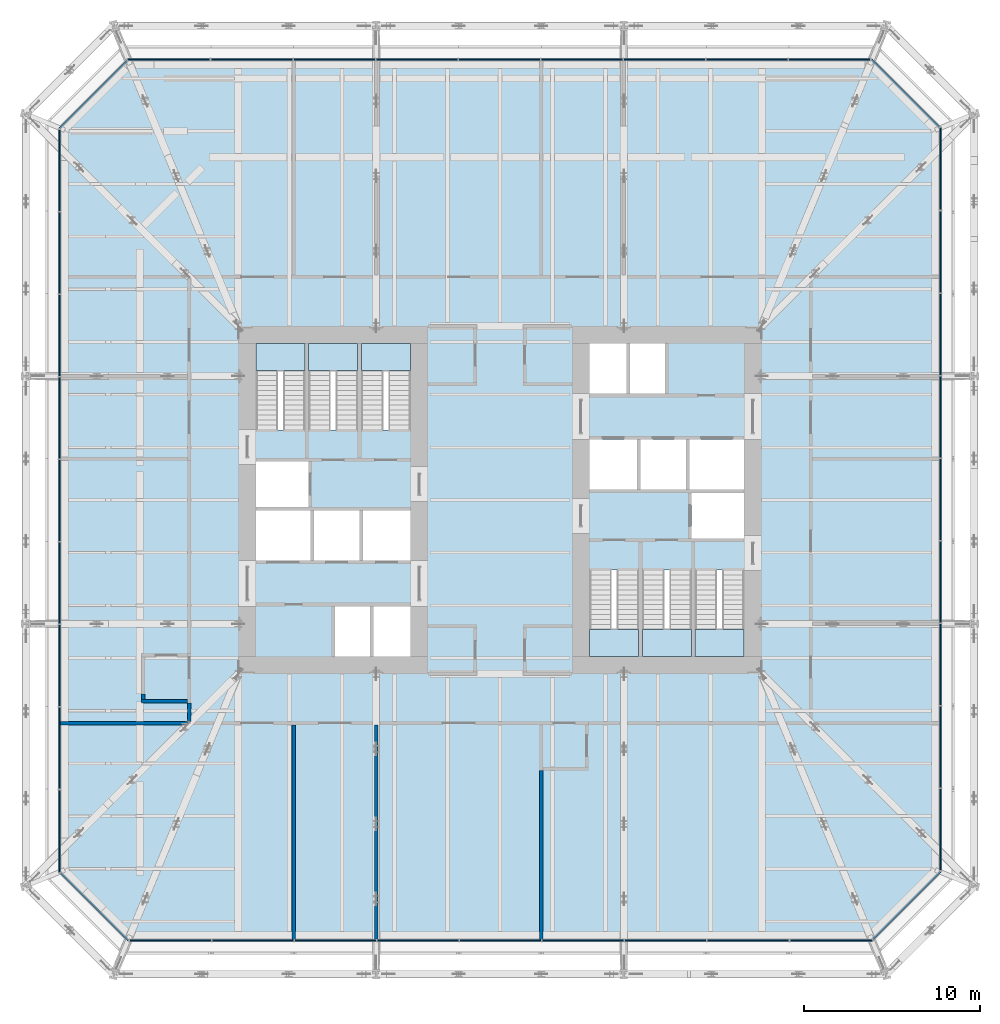
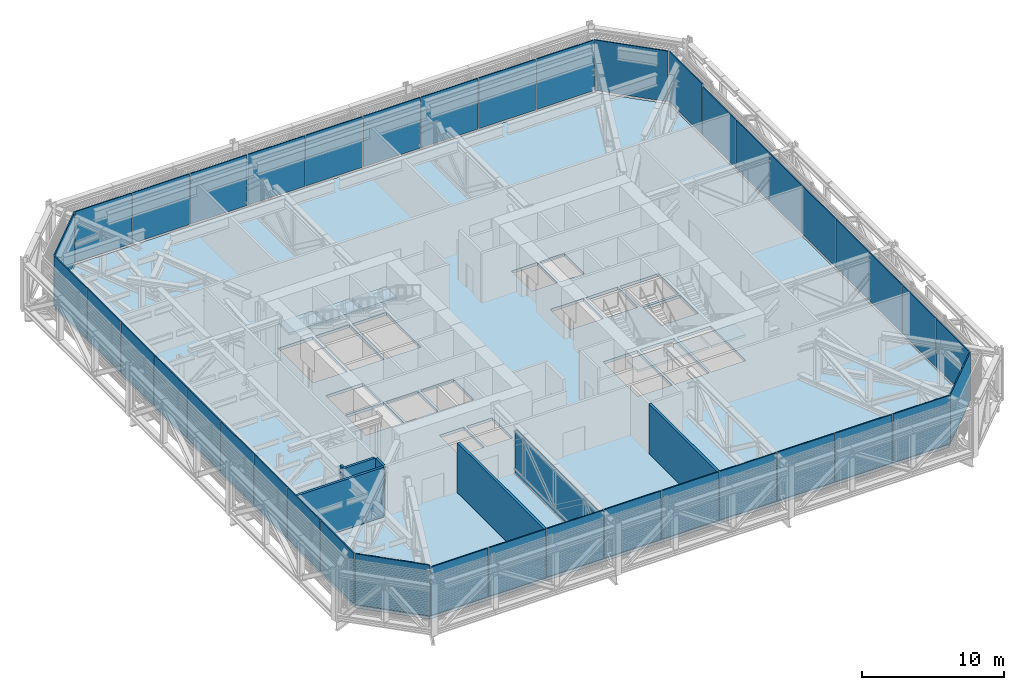
# One storey, part 21 of 33: 40 plates, 7 slabs, 7 walls, 14 elements without a shape of their own.
"""IFC4 building model written with IfcOpenShell, lengths in metres."""

import ifcopenshell
import ifcopenshell.guid

model = None  # the IFC model being written
_history = None  # IfcOwnerHistory: only IFC2X3 demands one
_inside = {}  # id of a spatial element -> (the spatial element, [elements in it])
_under = {}  # id of a project, library or spatial element -> (it, [spatial elements below it])
_declared = {}  # id of a project -> (the project, [libraries it declares])
_typed = {}  # id of a type object -> (the type object, [elements of that type])
_made_of = {}  # id of a material, layer set ... -> (it, [elements and type objects made of it])


def new_model(schema):
    """Start an empty IFC model of exactly this schema.

    Asked for "IFC4X3", IfcOpenShell would pick the latest addendum, in which some entities
    have other attributes; the version numbers below select the first issue.
    IFC2X3 requires an IfcOwnerHistory on every rooted entity: one is made here for all.
    """
    global model, _history
    if schema == "IFC4X3":
        model = ifcopenshell.file(schema_version=(4, 3, 0, 0))
    else:
        model = ifcopenshell.file(schema=schema)
    _inside.clear()
    _under.clear()
    _declared.clear()
    _typed.clear()
    _made_of.clear()
    _history = None
    if model.schema == "IFC2X3":
        org = make("IfcOrganization", Name="unknown")
        user = make(
            "IfcPersonAndOrganization",
            ThePerson=make("IfcPerson", FamilyName="unknown"),
            TheOrganization=org,
        )
        app = make(
            "IfcApplication",
            ApplicationDeveloper=org,
            Version="unknown",
            ApplicationFullName="unknown",
            ApplicationIdentifier="unknown",
        )
        _history = make(
            "IfcOwnerHistory",
            OwningUser=user,
            OwningApplication=app,
            ChangeAction="ADDED",
            CreationDate=0,
        )
    return model


def make(cls, **values):
    """One entity of the class cls with the attributes given. An attribute that is None is left unset."""
    return model.create_entity(
        cls, **{name: value for name, value in values.items() if value is not None}
    )


def rooted(cls, **values):
    """An entity with a GlobalId (a new one), such as an element, a storey or a relation."""
    return make(cls, GlobalId=ifcopenshell.guid.new(), OwnerHistory=_history, **values)


def si_unit(unit_type, name, prefix=None):
    """IfcSIUnit, for example si_unit("LENGTHUNIT", "METRE", prefix="MILLI")."""
    return make("IfcSIUnit", UnitType=unit_type, Prefix=prefix, Name=name)


def assignment(units):
    """IfcUnitAssignment: the units of a project."""
    return None if units is None else make("IfcUnitAssignment", Units=units)


def point(xyz):
    """IfcCartesianPoint."""
    return None if xyz is None else make("IfcCartesianPoint", Coordinates=xyz)


def direction(xyz):
    """IfcDirection."""
    return None if xyz is None else make("IfcDirection", DirectionRatios=xyz)


def frame(location, z_axis=None, x_axis=None):
    """IfcAxis2Placement3D, a coordinate frame: its origin and axes. An axis left out is left unset."""
    return make(
        "IfcAxis2Placement3D",
        Location=point(location),
        Axis=direction(z_axis),
        RefDirection=direction(x_axis),
    )


def frame_2d(location, x_axis=None):
    """IfcAxis2Placement2D, a coordinate frame in the plane: its origin and x axis."""
    return make(
        "IfcAxis2Placement2D", Location=point(location), RefDirection=direction(x_axis)
    )


def origin():
    """The frame at (0, 0, 0) with its axes left unset."""
    return frame((0.0, 0.0, 0.0))


def place(relative_to, where):
    """IfcLocalPlacement: puts the frame where relative to a parent placement (None: the world)."""
    return make(
        "IfcLocalPlacement", PlacementRelTo=relative_to, RelativePlacement=where
    )


def context(
    kind, dimensions, precision=None, world=None, true_north=None, identifier=None
):
    """IfcGeometricRepresentationContext, for example the 3D "Model" context."""
    return make(
        "IfcGeometricRepresentationContext",
        ContextIdentifier=identifier,
        ContextType=kind,
        CoordinateSpaceDimension=dimensions,
        Precision=precision,
        WorldCoordinateSystem=world,
        TrueNorth=true_north,
    )


def subcontext(parent, identifier, kind, view, scale=None):
    """IfcGeometricRepresentationSubContext, for example "Body" below "Model"."""
    return make(
        "IfcGeometricRepresentationSubContext",
        ContextIdentifier=identifier,
        ContextType=kind,
        ParentContext=parent,
        TargetScale=scale,
        TargetView=view,
    )


def project(units=None, contexts=None):
    """IfcProject with its units and contexts."""
    return rooted(
        "IfcProject",
        Name="project",
        RepresentationContexts=contexts,
        UnitsInContext=assignment(units),
    )


def spatial(cls, under=None, at=None, **own):
    """A site, building, storey or space (cls), placed at a placement, below another one or the project."""
    s = rooted(cls, ObjectPlacement=at, **own)
    if under is not None:
        _under.setdefault(under.id(), (under, []))[1].append(s)
    return s


def polyline(points):
    """IfcPolyline through the points."""
    return make("IfcPolyline", Points=[point(p) for p in points])


def profile(cls, at=None, kind="AREA", **sizes):
    """A parametric profile (cls). Its sizes go by their IFC names, for example OverallWidth=200.0."""
    return make(cls, ProfileType=kind, Position=at, **sizes)


def rectangle(**sizes):
    """IfcRectangleProfileDef."""
    return profile("IfcRectangleProfileDef", **sizes)


def outline(outer, holes=None, kind="AREA"):
    """IfcArbitraryClosedProfileDef: a profile drawn as a closed curve; with holes, ...WithVoids."""
    if holes is None:
        return make("IfcArbitraryClosedProfileDef", ProfileType=kind, OuterCurve=outer)
    return make(
        "IfcArbitraryProfileDefWithVoids",
        ProfileType=kind,
        OuterCurve=outer,
        InnerCurves=holes,
    )


def extrude(swept, where, along, depth):
    """IfcExtrudedAreaSolid: the profile swept, set in the frame where, extruded along a direction by depth."""
    return make(
        "IfcExtrudedAreaSolid",
        SweptArea=swept,
        Position=where,
        ExtrudedDirection=direction(along),
        Depth=depth,
    )


def shape(context_of_items, identifier, shape_type, items):
    """IfcShapeRepresentation: the items that make up one representation, for example the "Body"."""
    return make(
        "IfcShapeRepresentation",
        ContextOfItems=context_of_items,
        RepresentationIdentifier=identifier,
        RepresentationType=shape_type,
        Items=items,
    )


def material(Name=None, Category=None):
    """IfcMaterial."""
    return make("IfcMaterial", Name=Name, Category=Category)


def layer(
    of_material, thickness, ventilated=None, Name=None, Category=None, Priority=None
):
    """IfcMaterialLayer: one layer of a wall or slab, of a material (None: an air gap)."""
    return make(
        "IfcMaterialLayer",
        Material=of_material,
        LayerThickness=thickness,
        IsVentilated=ventilated,
        Name=Name,
        Category=Category,
        Priority=Priority,
    )


def layer_set(layers, Name=None):
    """IfcMaterialLayerSet."""
    return make("IfcMaterialLayerSet", MaterialLayers=layers, LayerSetName=Name)


def made_of(thing, what):
    """Note that an element or type object is made of a material, layer set ...; save() writes the relation."""
    if what is not None:
        _made_of.setdefault(what.id(), (what, []))[1].append(thing)
    return thing


def type_object(cls, material=None, **own):
    """A type object (cls), such as IfcWallType, which elements share."""
    return made_of(rooted(cls, **own), material)


def element(
    cls,
    number,
    at=None,
    inside=None,
    cuts=None,
    type_object=None,
    material=None,
    context=None,
    identifier="Body",
    shape_type=None,
    held_by="IfcProductDefinitionShape",
    body=None,
    shapes=None,
    **own,
):
    """One element of the class cls, such as IfcWall. Its Tag is "e" and its number.

    at: its placement. inside: the storey or other place that contains it. cuts: it is an
    opening in that element (IfcRelVoidsElement). A single representation is given by context,
    identifier, shape_type and body (its items); several are given by shapes. held_by: the class
    of the entity that holds the representations. save() writes the other relations.
    """
    e = rooted(cls, Tag="e%d" % number, ObjectPlacement=at, **own)
    if body is not None:
        shapes = [shape(context, identifier, shape_type, body)]
    if shapes is not None:
        e.Representation = make(held_by, Representations=shapes)
    if inside is not None:
        _inside.setdefault(inside.id(), (inside, []))[1].append(e)
    if cuts is not None:
        rooted(
            "IfcRelVoidsElement", RelatingBuildingElement=cuts, RelatedOpeningElement=e
        )
    if type_object is not None:
        _typed.setdefault(type_object.id(), (type_object, []))[1].append(e)
    return made_of(e, material)


def aggregate(whole, parts):
    """IfcRelAggregates: a whole, such as a stair, and the parts it consists of."""
    return rooted("IfcRelAggregates", RelatingObject=whole, RelatedObjects=parts)


def save(model, path):
    """Write the relations noted so far, then the file.

    IfcRelAggregates (storeys below a building ...), IfcRelContainedInSpatialStructure (elements
    in a storey), IfcRelDefinesByType, IfcRelAssociatesMaterial and IfcRelDeclares: one each for
    every whole, place, type object, material and project.
    """
    for whole, parts in _under.values():
        aggregate(whole, parts)
    for where, things in _inside.values():
        rooted(
            "IfcRelContainedInSpatialStructure",
            RelatedElements=things,
            RelatingStructure=where,
        )
    for kind, things in _typed.values():
        rooted("IfcRelDefinesByType", RelatedObjects=things, RelatingType=kind)
    for what, things in _made_of.values():
        rooted("IfcRelAssociatesMaterial", RelatedObjects=things, RelatingMaterial=what)
    for by, libraries in _declared.values():
        rooted("IfcRelDeclares", RelatingContext=by, RelatedDefinitions=libraries)
    model.write(path)


model = new_model("IFC4")

# Units and contexts
model_context = context("Model", 3, precision=1e-05, world=origin(), true_north=direction((0.0, 1.0)))
body_context = subcontext(model_context, "Body", "Model", "MODEL_VIEW")
ifc_project = project(units=[si_unit("LENGTHUNIT", "METRE"), si_unit("AREAUNIT", "SQUARE_METRE"), si_unit("VOLUMEUNIT", "CUBIC_METRE"), si_unit("PLANEANGLEUNIT", "RADIAN"), si_unit("MASSUNIT", "GRAM", prefix="KILO")], contexts=[model_context])

# Site, building, storey
site_placement = place(None, origin())
site = spatial("IfcSite", under=ifc_project, at=site_placement, CompositionType="ELEMENT")
building_placement = place(site_placement, origin())
building = spatial("IfcBuilding", under=site, at=building_placement, Name="Millrace Tower", CompositionType="ELEMENT")
storey_placement = place(building_placement, frame((0.0, 0.0, 64.10009765625)))
storey = spatial("IfcBuildingStorey", under=building, at=storey_placement, Name="L14", CompositionType="ELEMENT", Elevation=64.10009765625)

# Curtain wall, plate
ifc_material_1 = material(Name="Aluminium and glass", Category="aluminium")
ifc_layer_1 = layer(ifc_material_1, 0.14990234375)
ifc_layer_set_1 = layer_set([ifc_layer_1], Name="Aluminium and glass")
curtain_wall_type = type_object("IfcCurtainWallType", Name="CW-5 truss and plant storey louvred infill", PredefinedType="NOTDEFINED", material=ifc_layer_set_1)
placement_1 = place(storey_placement, origin())
curtain_wall_1 = element("IfcCurtainWall", 1, at=placement_1, inside=storey, type_object=curtain_wall_type, Name="Curtain wall A-F01 L14", PredefinedType="NOTDEFINED")
ifc_material_2 = material(Name="Glass", Category="glass")
ifc_layer_2 = layer(ifc_material_2, 0.090087890625)
ifc_layer_set_2 = layer_set([ifc_layer_2], Name="Glass")
plate_type = type_object("IfcPlateType", Name="CW-5 truss and plant storey louvred infill louvre cassette", PredefinedType="CURTAIN_PANEL", material=ifc_layer_set_2)
placement_2 = place(storey_placement, frame((0.0, 0.0, 0.139892578125)))
plate_1 = element("IfcPlate", 2, at=placement_2, type_object=plate_type, Name="CW5 panel A-F01.1", PredefinedType="CURTAIN_PANEL", context=body_context, shape_type="SweptSolid", body=[
    extrude(outline(polyline([(-25.038818359375, -21.28076171875), (-21.19970703125, -25.1201171875), (-21.162353515625, -25.030029296875), (-24.975341796875, -21.21728515625), (-25.038818359375, -21.28076171875)])), origin(), (0.0, 0.0, 1.0), 4.360107421875),
])
aggregate(curtain_wall_1, [plate_1])

# Curtain wall, plates
curtain_wall_2 = element("IfcCurtainWall", 3, at=placement_1, inside=storey, type_object=curtain_wall_type, Name="Curtain wall A-F02 L14", PredefinedType="NOTDEFINED")
plate_2 = element("IfcPlate", 4, at=placement_2, type_object=plate_type, Name="CW5 panel A-F02.1", PredefinedType="CURTAIN_PANEL", context=body_context, shape_type="SweptSolid", body=[
    extrude(outline(polyline([(-21.0849609375, -25.1201171875), (-16.449951171875, -25.1201171875), (-16.449951171875, -25.030029296875), (-21.0849609375, -25.030029296875), (-21.0849609375, -25.1201171875)])), origin(), (0.0, 0.0, 1.0), 4.159912109375),
])
plate_3 = element("IfcPlate", 5, at=placement_2, type_object=plate_type, Name="CW5 panel A-F02.2", PredefinedType="CURTAIN_PANEL", context=body_context, shape_type="SweptSolid", body=[
    extrude(outline(polyline([(-16.385009765625, -25.1201171875), (-11.75, -25.1201171875), (-11.75, -25.030029296875), (-16.385009765625, -25.030029296875), (-16.385009765625, -25.1201171875)])), origin(), (0.0, 0.0, 1.0), 4.159912109375),
])
plate_4 = element("IfcPlate", 6, at=placement_2, type_object=plate_type, Name="CW5 panel A-F02.3", PredefinedType="CURTAIN_PANEL", context=body_context, shape_type="SweptSolid", body=[
    extrude(outline(polyline([(-11.68505859375, -25.1201171875), (-7.050048828125, -25.1201171875), (-7.050048828125, -25.030029296875), (-11.68505859375, -25.030029296875), (-11.68505859375, -25.1201171875)])), origin(), (0.0, 0.0, 1.0), 4.159912109375),
])
plate_5 = element("IfcPlate", 7, at=placement_2, type_object=plate_type, Name="CW5 panel A-F02.4", PredefinedType="CURTAIN_PANEL", context=body_context, shape_type="SweptSolid", body=[
    extrude(outline(polyline([(-6.985107421875, -25.1201171875), (-2.35009765625, -25.1201171875), (-2.35009765625, -25.030029296875), (-6.985107421875, -25.030029296875), (-6.985107421875, -25.1201171875)])), origin(), (0.0, 0.0, 1.0), 4.159912109375),
])
plate_6 = element("IfcPlate", 8, at=placement_2, type_object=plate_type, Name="CW5 panel A-F02.5", PredefinedType="CURTAIN_PANEL", context=body_context, shape_type="SweptSolid", body=[
    extrude(outline(polyline([(-2.284912109375, -25.1201171875), (2.35009765625, -25.1201171875), (2.35009765625, -25.030029296875), (-2.284912109375, -25.030029296875), (-2.284912109375, -25.1201171875)])), origin(), (0.0, 0.0, 1.0), 4.159912109375),
])
plate_7 = element("IfcPlate", 9, at=placement_2, type_object=plate_type, Name="CW5 panel A-F02.6", PredefinedType="CURTAIN_PANEL", context=body_context, shape_type="SweptSolid", body=[
    extrude(outline(polyline([(2.4150390625, -25.1201171875), (7.050048828125, -25.1201171875), (7.050048828125, -25.030029296875), (2.4150390625, -25.030029296875), (2.4150390625, -25.1201171875)])), origin(), (0.0, 0.0, 1.0), 4.159912109375),
])
plate_8 = element("IfcPlate", 10, at=placement_2, type_object=plate_type, Name="CW5 panel A-F02.7", PredefinedType="CURTAIN_PANEL", context=body_context, shape_type="SweptSolid", body=[
    extrude(outline(polyline([(7.114990234375, -25.1201171875), (11.75, -25.1201171875), (11.75, -25.030029296875), (7.114990234375, -25.030029296875), (7.114990234375, -25.1201171875)])), origin(), (0.0, 0.0, 1.0), 4.159912109375),
])
plate_9 = element("IfcPlate", 11, at=placement_2, type_object=plate_type, Name="CW5 panel A-F02.8", PredefinedType="CURTAIN_PANEL", context=body_context, shape_type="SweptSolid", body=[
    extrude(outline(polyline([(11.81494140625, -25.1201171875), (16.449951171875, -25.1201171875), (16.449951171875, -25.030029296875), (11.81494140625, -25.030029296875), (11.81494140625, -25.1201171875)])), origin(), (0.0, 0.0, 1.0), 4.159912109375),
])
plate_10 = element("IfcPlate", 12, at=placement_2, type_object=plate_type, Name="CW5 panel A-F02.9", PredefinedType="CURTAIN_PANEL", context=body_context, shape_type="SweptSolid", body=[
    extrude(outline(polyline([(16.514892578125, -25.1201171875), (21.19970703125, -25.1201171875), (21.162353515625, -25.030029296875), (16.514892578125, -25.030029296875), (16.514892578125, -25.1201171875)])), origin(), (0.0, 0.0, 1.0), 4.159912109375),
])
aggregate(curtain_wall_2, [plate_2, plate_3, plate_4, plate_5, plate_6, plate_7, plate_8, plate_9, plate_10])

# Curtain wall, plate
curtain_wall_3 = element("IfcCurtainWall", 13, at=placement_1, inside=storey, type_object=curtain_wall_type, Name="Curtain wall A-F03 L14", PredefinedType="NOTDEFINED")
plate_11 = element("IfcPlate", 14, at=placement_2, type_object=plate_type, Name="CW5 panel A-F03.1", PredefinedType="CURTAIN_PANEL", context=body_context, shape_type="SweptSolid", body=[
    extrude(outline(polyline([(21.28076171875, -25.038818359375), (25.1201171875, -21.19970703125), (25.030029296875, -21.162353515625), (21.21728515625, -24.975341796875), (21.28076171875, -25.038818359375)])), origin(), (0.0, 0.0, 1.0), 4.159912109375),
])
aggregate(curtain_wall_3, [plate_11])

# Curtain wall, plates
curtain_wall_4 = element("IfcCurtainWall", 15, at=placement_1, inside=storey, type_object=curtain_wall_type, Name="Curtain wall A-F04 L14", PredefinedType="NOTDEFINED")
plate_12 = element("IfcPlate", 16, at=placement_2, type_object=plate_type, Name="CW5 panel A-F04.1", PredefinedType="CURTAIN_PANEL", context=body_context, shape_type="SweptSolid", body=[
    extrude(outline(polyline([(25.1201171875, -21.0849609375), (25.1201171875, -16.449951171875), (25.030029296875, -16.449951171875), (25.030029296875, -21.0849609375), (25.1201171875, -21.0849609375)])), origin(), (0.0, 0.0, 1.0), 4.159912109375),
])
plate_13 = element("IfcPlate", 17, at=placement_2, type_object=plate_type, Name="CW5 panel A-F04.2", PredefinedType="CURTAIN_PANEL", context=body_context, shape_type="SweptSolid", body=[
    extrude(outline(polyline([(25.1201171875, -16.385009765625), (25.1201171875, -11.75), (25.030029296875, -11.75), (25.030029296875, -16.385009765625), (25.1201171875, -16.385009765625)])), origin(), (0.0, 0.0, 1.0), 4.159912109375),
])
plate_14 = element("IfcPlate", 18, at=placement_2, type_object=plate_type, Name="CW5 panel A-F04.3", PredefinedType="CURTAIN_PANEL", context=body_context, shape_type="SweptSolid", body=[
    extrude(outline(polyline([(25.1201171875, -11.68505859375), (25.1201171875, -7.050048828125), (25.030029296875, -7.050048828125), (25.030029296875, -11.68505859375), (25.1201171875, -11.68505859375)])), origin(), (0.0, 0.0, 1.0), 4.159912109375),
])
plate_15 = element("IfcPlate", 19, at=placement_2, type_object=plate_type, Name="CW5 panel A-F04.4", PredefinedType="CURTAIN_PANEL", context=body_context, shape_type="SweptSolid", body=[
    extrude(outline(polyline([(25.1201171875, -6.985107421875), (25.1201171875, -2.35009765625), (25.030029296875, -2.35009765625), (25.030029296875, -6.985107421875), (25.1201171875, -6.985107421875)])), origin(), (0.0, 0.0, 1.0), 4.159912109375),
])
plate_16 = element("IfcPlate", 20, at=placement_2, type_object=plate_type, Name="CW5 panel A-F04.5", PredefinedType="CURTAIN_PANEL", context=body_context, shape_type="SweptSolid", body=[
    extrude(outline(polyline([(25.1201171875, -2.284912109375), (25.1201171875, 2.35009765625), (25.030029296875, 2.35009765625), (25.030029296875, -2.284912109375), (25.1201171875, -2.284912109375)])), origin(), (0.0, 0.0, 1.0), 4.159912109375),
])
plate_17 = element("IfcPlate", 21, at=placement_2, type_object=plate_type, Name="CW5 panel A-F04.6", PredefinedType="CURTAIN_PANEL", context=body_context, shape_type="SweptSolid", body=[
    extrude(outline(polyline([(25.1201171875, 2.4150390625), (25.1201171875, 7.050048828125), (25.030029296875, 7.050048828125), (25.030029296875, 2.4150390625), (25.1201171875, 2.4150390625)])), origin(), (0.0, 0.0, 1.0), 4.159912109375),
])
plate_18 = element("IfcPlate", 22, at=placement_2, type_object=plate_type, Name="CW5 panel A-F04.7", PredefinedType="CURTAIN_PANEL", context=body_context, shape_type="SweptSolid", body=[
    extrude(outline(polyline([(25.1201171875, 7.114990234375), (25.1201171875, 11.75), (25.030029296875, 11.75), (25.030029296875, 7.114990234375), (25.1201171875, 7.114990234375)])), origin(), (0.0, 0.0, 1.0), 4.159912109375),
])
plate_19 = element("IfcPlate", 23, at=placement_2, type_object=plate_type, Name="CW5 panel A-F04.8", PredefinedType="CURTAIN_PANEL", context=body_context, shape_type="SweptSolid", body=[
    extrude(outline(polyline([(25.1201171875, 11.81494140625), (25.1201171875, 16.449951171875), (25.030029296875, 16.449951171875), (25.030029296875, 11.81494140625), (25.1201171875, 11.81494140625)])), origin(), (0.0, 0.0, 1.0), 4.159912109375),
])
plate_20 = element("IfcPlate", 24, at=placement_2, type_object=plate_type, Name="CW5 panel A-F04.9", PredefinedType="CURTAIN_PANEL", context=body_context, shape_type="SweptSolid", body=[
    extrude(outline(polyline([(25.1201171875, 16.514892578125), (25.1201171875, 21.19970703125), (25.030029296875, 21.162353515625), (25.030029296875, 16.514892578125), (25.1201171875, 16.514892578125)])), origin(), (0.0, 0.0, 1.0), 4.360107421875),
])
aggregate(curtain_wall_4, [plate_12, plate_13, plate_14, plate_15, plate_16, plate_17, plate_18, plate_19, plate_20])

# Curtain wall, plate
curtain_wall_5 = element("IfcCurtainWall", 25, at=placement_1, inside=storey, type_object=curtain_wall_type, Name="Curtain wall A-F05 L14", PredefinedType="NOTDEFINED")
plate_21 = element("IfcPlate", 26, at=placement_2, type_object=plate_type, Name="CW5 panel A-F05.1", PredefinedType="CURTAIN_PANEL", context=body_context, shape_type="SweptSolid", body=[
    extrude(outline(polyline([(25.038818359375, 21.28076171875), (21.19970703125, 25.1201171875), (21.162353515625, 25.030029296875), (24.975341796875, 21.21728515625), (25.038818359375, 21.28076171875)])), origin(), (0.0, 0.0, 1.0), 4.360107421875),
])
aggregate(curtain_wall_5, [plate_21])

# Curtain wall, plates
curtain_wall_6 = element("IfcCurtainWall", 27, at=placement_1, inside=storey, type_object=curtain_wall_type, Name="Curtain wall A-F06 L14", PredefinedType="NOTDEFINED")
plate_22 = element("IfcPlate", 28, at=placement_2, type_object=plate_type, Name="CW5 panel A-F06.1", PredefinedType="CURTAIN_PANEL", context=body_context, shape_type="SweptSolid", body=[
    extrude(outline(polyline([(21.0849609375, 25.1201171875), (16.449951171875, 25.1201171875), (16.449951171875, 25.030029296875), (21.0849609375, 25.030029296875), (21.0849609375, 25.1201171875)])), origin(), (0.0, 0.0, 1.0), 4.360107421875),
])
plate_23 = element("IfcPlate", 29, at=placement_2, type_object=plate_type, Name="CW5 panel A-F06.2", PredefinedType="CURTAIN_PANEL", context=body_context, shape_type="SweptSolid", body=[
    extrude(outline(polyline([(16.385009765625, 25.1201171875), (11.75, 25.1201171875), (11.75, 25.030029296875), (16.385009765625, 25.030029296875), (16.385009765625, 25.1201171875)])), origin(), (0.0, 0.0, 1.0), 4.360107421875),
])
plate_24 = element("IfcPlate", 30, at=placement_2, type_object=plate_type, Name="CW5 panel A-F06.3", PredefinedType="CURTAIN_PANEL", context=body_context, shape_type="SweptSolid", body=[
    extrude(outline(polyline([(11.68505859375, 25.1201171875), (7.050048828125, 25.1201171875), (7.050048828125, 25.030029296875), (11.68505859375, 25.030029296875), (11.68505859375, 25.1201171875)])), origin(), (0.0, 0.0, 1.0), 4.360107421875),
])
plate_25 = element("IfcPlate", 31, at=placement_2, type_object=plate_type, Name="CW5 panel A-F06.4", PredefinedType="CURTAIN_PANEL", context=body_context, shape_type="SweptSolid", body=[
    extrude(outline(polyline([(6.985107421875, 25.1201171875), (2.35009765625, 25.1201171875), (2.35009765625, 25.030029296875), (6.985107421875, 25.030029296875), (6.985107421875, 25.1201171875)])), origin(), (0.0, 0.0, 1.0), 4.360107421875),
])
plate_26 = element("IfcPlate", 32, at=placement_2, type_object=plate_type, Name="CW5 panel A-F06.5", PredefinedType="CURTAIN_PANEL", context=body_context, shape_type="SweptSolid", body=[
    extrude(outline(polyline([(2.284912109375, 25.1201171875), (-2.35009765625, 25.1201171875), (-2.35009765625, 25.030029296875), (2.284912109375, 25.030029296875), (2.284912109375, 25.1201171875)])), origin(), (0.0, 0.0, 1.0), 4.360107421875),
])
plate_27 = element("IfcPlate", 33, at=placement_2, type_object=plate_type, Name="CW5 panel A-F06.6", PredefinedType="CURTAIN_PANEL", context=body_context, shape_type="SweptSolid", body=[
    extrude(outline(polyline([(-2.4150390625, 25.1201171875), (-7.050048828125, 25.1201171875), (-7.050048828125, 25.030029296875), (-2.4150390625, 25.030029296875), (-2.4150390625, 25.1201171875)])), origin(), (0.0, 0.0, 1.0), 4.360107421875),
])
plate_28 = element("IfcPlate", 34, at=placement_2, type_object=plate_type, Name="CW5 panel A-F06.7", PredefinedType="CURTAIN_PANEL", context=body_context, shape_type="SweptSolid", body=[
    extrude(outline(polyline([(-7.114990234375, 25.1201171875), (-11.75, 25.1201171875), (-11.75, 25.030029296875), (-7.114990234375, 25.030029296875), (-7.114990234375, 25.1201171875)])), origin(), (0.0, 0.0, 1.0), 4.360107421875),
])
plate_29 = element("IfcPlate", 35, at=placement_2, type_object=plate_type, Name="CW5 panel A-F06.8", PredefinedType="CURTAIN_PANEL", context=body_context, shape_type="SweptSolid", body=[
    extrude(outline(polyline([(-11.81494140625, 25.1201171875), (-16.449951171875, 25.1201171875), (-16.449951171875, 25.030029296875), (-11.81494140625, 25.030029296875), (-11.81494140625, 25.1201171875)])), origin(), (0.0, 0.0, 1.0), 4.360107421875),
])
plate_30 = element("IfcPlate", 36, at=placement_2, type_object=plate_type, Name="CW5 panel A-F06.9", PredefinedType="CURTAIN_PANEL", context=body_context, shape_type="SweptSolid", body=[
    extrude(outline(polyline([(-16.514892578125, 25.1201171875), (-21.19970703125, 25.1201171875), (-21.162353515625, 25.030029296875), (-16.514892578125, 25.030029296875), (-16.514892578125, 25.1201171875)])), origin(), (0.0, 0.0, 1.0), 4.360107421875),
])
aggregate(curtain_wall_6, [plate_22, plate_23, plate_24, plate_25, plate_26, plate_27, plate_28, plate_29, plate_30])

# Curtain wall, plate
curtain_wall_7 = element("IfcCurtainWall", 37, at=placement_1, inside=storey, type_object=curtain_wall_type, Name="Curtain wall A-F07 L14", PredefinedType="NOTDEFINED")
plate_31 = element("IfcPlate", 38, at=placement_2, type_object=plate_type, Name="CW5 panel A-F07.1", PredefinedType="CURTAIN_PANEL", context=body_context, shape_type="SweptSolid", body=[
    extrude(outline(polyline([(-21.28076171875, 25.038818359375), (-25.1201171875, 21.19970703125), (-25.030029296875, 21.162353515625), (-21.21728515625, 24.975341796875), (-21.28076171875, 25.038818359375)])), origin(), (0.0, 0.0, 1.0), 4.360107421875),
])
aggregate(curtain_wall_7, [plate_31])

# Curtain wall, plates
curtain_wall_8 = element("IfcCurtainWall", 39, at=placement_1, inside=storey, type_object=curtain_wall_type, Name="Curtain wall A-F08 L14", PredefinedType="NOTDEFINED")
plate_32 = element("IfcPlate", 40, at=placement_2, type_object=plate_type, Name="CW5 panel A-F08.1", PredefinedType="CURTAIN_PANEL", context=body_context, shape_type="SweptSolid", body=[
    extrude(outline(polyline([(-25.1201171875, 21.0849609375), (-25.1201171875, 16.449951171875), (-25.030029296875, 16.449951171875), (-25.030029296875, 21.0849609375), (-25.1201171875, 21.0849609375)])), origin(), (0.0, 0.0, 1.0), 4.360107421875),
])
plate_33 = element("IfcPlate", 41, at=placement_2, type_object=plate_type, Name="CW5 panel A-F08.2", PredefinedType="CURTAIN_PANEL", context=body_context, shape_type="SweptSolid", body=[
    extrude(outline(polyline([(-25.1201171875, 16.385009765625), (-25.1201171875, 11.75), (-25.030029296875, 11.75), (-25.030029296875, 16.385009765625), (-25.1201171875, 16.385009765625)])), origin(), (0.0, 0.0, 1.0), 4.360107421875),
])
plate_34 = element("IfcPlate", 42, at=placement_2, type_object=plate_type, Name="CW5 panel A-F08.3", PredefinedType="CURTAIN_PANEL", context=body_context, shape_type="SweptSolid", body=[
    extrude(outline(polyline([(-25.1201171875, 11.68505859375), (-25.1201171875, 7.050048828125), (-25.030029296875, 7.050048828125), (-25.030029296875, 11.68505859375), (-25.1201171875, 11.68505859375)])), origin(), (0.0, 0.0, 1.0), 4.360107421875),
])
plate_35 = element("IfcPlate", 43, at=placement_2, type_object=plate_type, Name="CW5 panel A-F08.4", PredefinedType="CURTAIN_PANEL", context=body_context, shape_type="SweptSolid", body=[
    extrude(outline(polyline([(-25.1201171875, 6.985107421875), (-25.1201171875, 2.35009765625), (-25.030029296875, 2.35009765625), (-25.030029296875, 6.985107421875), (-25.1201171875, 6.985107421875)])), origin(), (0.0, 0.0, 1.0), 4.360107421875),
])
plate_36 = element("IfcPlate", 44, at=placement_2, type_object=plate_type, Name="CW5 panel A-F08.5", PredefinedType="CURTAIN_PANEL", context=body_context, shape_type="SweptSolid", body=[
    extrude(outline(polyline([(-25.1201171875, 2.284912109375), (-25.1201171875, -2.35009765625), (-25.030029296875, -2.35009765625), (-25.030029296875, 2.284912109375), (-25.1201171875, 2.284912109375)])), origin(), (0.0, 0.0, 1.0), 4.360107421875),
])
plate_37 = element("IfcPlate", 45, at=placement_2, type_object=plate_type, Name="CW5 panel A-F08.6", PredefinedType="CURTAIN_PANEL", context=body_context, shape_type="SweptSolid", body=[
    extrude(outline(polyline([(-25.1201171875, -2.4150390625), (-25.1201171875, -7.050048828125), (-25.030029296875, -7.050048828125), (-25.030029296875, -2.4150390625), (-25.1201171875, -2.4150390625)])), origin(), (0.0, 0.0, 1.0), 4.360107421875),
])
plate_38 = element("IfcPlate", 46, at=placement_2, type_object=plate_type, Name="CW5 panel A-F08.7", PredefinedType="CURTAIN_PANEL", context=body_context, shape_type="SweptSolid", body=[
    extrude(outline(polyline([(-25.1201171875, -7.114990234375), (-25.1201171875, -11.75), (-25.030029296875, -11.75), (-25.030029296875, -7.114990234375), (-25.1201171875, -7.114990234375)])), origin(), (0.0, 0.0, 1.0), 4.360107421875),
])
plate_39 = element("IfcPlate", 47, at=placement_2, type_object=plate_type, Name="CW5 panel A-F08.8", PredefinedType="CURTAIN_PANEL", context=body_context, shape_type="SweptSolid", body=[
    extrude(outline(polyline([(-25.1201171875, -11.81494140625), (-25.1201171875, -16.449951171875), (-25.030029296875, -16.449951171875), (-25.030029296875, -11.81494140625), (-25.1201171875, -11.81494140625)])), origin(), (0.0, 0.0, 1.0), 4.360107421875),
])
plate_40 = element("IfcPlate", 48, at=placement_2, type_object=plate_type, Name="CW5 panel A-F08.9", PredefinedType="CURTAIN_PANEL", context=body_context, shape_type="SweptSolid", body=[
    extrude(outline(polyline([(-25.1201171875, -16.514892578125), (-25.1201171875, -21.19970703125), (-25.030029296875, -21.162353515625), (-25.030029296875, -16.514892578125), (-25.1201171875, -16.514892578125)])), origin(), (0.0, 0.0, 1.0), 4.360107421875),
])
aggregate(curtain_wall_8, [plate_32, plate_33, plate_34, plate_35, plate_36, plate_37, plate_38, plate_39, plate_40])

# Slab
ifc_material_3 = material(Name="Concrete C35 on steel deck", Category="concrete")
ifc_layer_3 = layer(ifc_material_3, 0.25)
ifc_layer_set_3 = layer_set([ifc_layer_3], Name="Concrete C35 on steel deck")
slab_type_1 = type_object("IfcSlabType", Name="Composite floor slab 250 mm", PredefinedType="FLOOR", material=ifc_layer_set_3)
slab_1_placement = place(storey_placement, frame((0.0, 0.0, -0.25)))
element("IfcSlab", 49, at=slab_1_placement, inside=storey, type_object=slab_type_1, Name="SL-A-L14-S1", PredefinedType="FLOOR", context=body_context, shape_type="SweptSolid", body=[
    extrude(outline(polyline([(-25.0, -21.14990234375), (-21.14990234375, -25.0), (21.14990234375, -25.0), (25.0, -21.14990234375), (25.0, 21.14990234375), (21.14990234375, 25.0), (-21.14990234375, 25.0), (-25.0, 21.14990234375), (-25.0, -21.14990234375)]), holes=[polyline([(-9.39990234375, -8.89990234375), (-7.39990234375, -8.89990234375), (-7.39990234375, -6.050048828125), (-9.39990234375, -6.050048828125), (-9.39990234375, -8.89990234375)]), polyline([(-7.199951171875, -8.89990234375), (-5.10009765625, -8.89990234375), (-5.10009765625, -6.050048828125), (-7.199951171875, -6.050048828125), (-7.199951171875, -8.89990234375)]), polyline([(-13.89990234375, -3.449951171875), (-10.800048828125, -3.449951171875), (-10.800048828125, -0.60009765625), (-13.89990234375, -0.60009765625), (-13.89990234375, -3.449951171875)]), polyline([(-10.60009765625, -3.449951171875), (-8.0, -3.449951171875), (-8.0, -0.60009765625), (-10.60009765625, -0.60009765625), (-10.60009765625, -3.449951171875)]), polyline([(-7.800048828125, -3.449951171875), (-5.10009765625, -3.449951171875), (-5.10009765625, -0.60009765625), (-7.800048828125, -0.60009765625), (-7.800048828125, -3.449951171875)]), polyline([(-13.89990234375, -0.39990234375), (-10.89990234375, -0.39990234375), (-10.89990234375, 2.179931640625), (-13.89990234375, 2.179931640625), (-13.89990234375, -0.39990234375)]), polyline([(-13.89990234375, 4.0), (-11.10009765625, 4.0), (-11.10009765625, 8.89990234375), (-13.89990234375, 8.89990234375), (-13.89990234375, 4.0)]), polyline([(-10.89990234375, 4.0), (-8.10009765625, 4.0), (-8.10009765625, 8.89990234375), (-10.89990234375, 8.89990234375), (-10.89990234375, 4.0)]), polyline([(-7.89990234375, 4.0), (-5.10009765625, 4.0), (-5.10009765625, 8.89990234375), (-7.89990234375, 8.89990234375), (-7.89990234375, 4.0)]), polyline([(7.39990234375, 6.050048828125), (9.39990234375, 6.050048828125), (9.39990234375, 8.89990234375), (7.39990234375, 8.89990234375), (7.39990234375, 6.050048828125)]), polyline([(5.10009765625, 6.050048828125), (7.199951171875, 6.050048828125), (7.199951171875, 8.89990234375), (5.10009765625, 8.89990234375), (5.10009765625, 6.050048828125)]), polyline([(10.800048828125, 0.60009765625), (13.89990234375, 0.60009765625), (13.89990234375, 3.449951171875), (10.800048828125, 3.449951171875), (10.800048828125, 0.60009765625)]), polyline([(8.0, 0.60009765625), (10.60009765625, 0.60009765625), (10.60009765625, 3.449951171875), (8.0, 3.449951171875), (8.0, 0.60009765625)]), polyline([(5.10009765625, 0.60009765625), (7.800048828125, 0.60009765625), (7.800048828125, 3.449951171875), (5.10009765625, 3.449951171875), (5.10009765625, 0.60009765625)]), polyline([(10.89990234375, -2.179931640625), (13.89990234375, -2.179931640625), (13.89990234375, 0.39990234375), (10.89990234375, 0.39990234375), (10.89990234375, -2.179931640625)]), polyline([(11.10009765625, -8.89990234375), (13.89990234375, -8.89990234375), (13.89990234375, -4.0), (11.10009765625, -4.0), (11.10009765625, -8.89990234375)]), polyline([(8.10009765625, -8.89990234375), (10.89990234375, -8.89990234375), (10.89990234375, -4.0), (8.10009765625, -4.0), (8.10009765625, -8.89990234375)]), polyline([(5.10009765625, -8.89990234375), (7.89990234375, -8.89990234375), (7.89990234375, -4.0), (5.10009765625, -4.0), (5.10009765625, -8.89990234375)])]), origin(), (0.0, 0.0, 1.0), 0.25),
])

# Stair, slab
ifc_material_4 = material(Name="Concrete C35", Category="concrete")
stair_type = type_object("IfcStairType", Name="Exit stair", PredefinedType="HALF_TURN_STAIR", material=ifc_material_4)
stair_1 = element("IfcStair", 50, at=placement_1, inside=storey, type_object=stair_type, Name="Stair 1 W L14", PredefinedType="HALF_TURN_STAIR")
ifc_material_5 = material(Name="Concrete C40", Category="concrete")
ifc_layer_4 = layer(ifc_material_5, 0.199951171875)
ifc_layer_set_4 = layer_set([ifc_layer_4], Name="Concrete C40")
slab_type_2 = type_object("IfcSlabType", Name="Stair landing", PredefinedType="LANDING", material=ifc_layer_set_4)
placement_3 = place(storey_placement, frame((0.0, 0.0, 2.0498046875)))
slab_2 = element("IfcSlab", 51, at=placement_3, type_object=slab_type_2, Name="ST12 landing 1", PredefinedType="LANDING", context=body_context, shape_type="SweptSolid", body=[
    extrude(outline(polyline([(-13.89990234375, 7.360107421875), (-11.10009765625, 7.360107421875), (-11.10009765625, 8.89990234375), (-13.89990234375, 8.89990234375), (-13.89990234375, 7.360107421875)])), origin(), (0.0, 0.0, 1.0), 0.2001953125),
])
aggregate(stair_1, [slab_2])

stair_2 = element("IfcStair", 52, at=placement_1, inside=storey, type_object=stair_type, Name="Stair 2 W L14", PredefinedType="HALF_TURN_STAIR")
slab_3 = element("IfcSlab", 53, at=placement_3, type_object=slab_type_2, Name="ST12 landing 1", PredefinedType="LANDING", context=body_context, shape_type="SweptSolid", body=[
    extrude(outline(polyline([(-10.89990234375, 7.360107421875), (-8.10009765625, 7.360107421875), (-8.10009765625, 8.89990234375), (-10.89990234375, 8.89990234375), (-10.89990234375, 7.360107421875)])), origin(), (0.0, 0.0, 1.0), 0.2001953125),
])
aggregate(stair_2, [slab_3])

stair_3 = element("IfcStair", 54, at=placement_1, inside=storey, type_object=stair_type, Name="Stair 3 W L14", PredefinedType="HALF_TURN_STAIR")
slab_4 = element("IfcSlab", 55, at=placement_3, type_object=slab_type_2, Name="ST12 landing 1", PredefinedType="LANDING", context=body_context, shape_type="SweptSolid", body=[
    extrude(outline(polyline([(-7.89990234375, 7.360107421875), (-5.10009765625, 7.360107421875), (-5.10009765625, 8.89990234375), (-7.89990234375, 8.89990234375), (-7.89990234375, 7.360107421875)])), origin(), (0.0, 0.0, 1.0), 0.2001953125),
])
aggregate(stair_3, [slab_4])

stair_4 = element("IfcStair", 56, at=placement_1, inside=storey, type_object=stair_type, Name="Stair 1 E L14", PredefinedType="HALF_TURN_STAIR")
slab_5 = element("IfcSlab", 57, at=placement_3, type_object=slab_type_2, Name="ST12 landing 1", PredefinedType="LANDING", context=body_context, shape_type="SweptSolid", body=[
    extrude(outline(polyline([(11.10009765625, -8.89990234375), (13.89990234375, -8.89990234375), (13.89990234375, -7.360107421875), (11.10009765625, -7.360107421875), (11.10009765625, -8.89990234375)])), origin(), (0.0, 0.0, 1.0), 0.2001953125),
])
aggregate(stair_4, [slab_5])

stair_5 = element("IfcStair", 58, at=placement_1, inside=storey, type_object=stair_type, Name="Stair 2 E L14", PredefinedType="HALF_TURN_STAIR")
slab_6 = element("IfcSlab", 59, at=placement_3, type_object=slab_type_2, Name="ST12 landing 1", PredefinedType="LANDING", context=body_context, shape_type="SweptSolid", body=[
    extrude(outline(polyline([(8.10009765625, -8.89990234375), (10.89990234375, -8.89990234375), (10.89990234375, -7.360107421875), (8.10009765625, -7.360107421875), (8.10009765625, -8.89990234375)])), origin(), (0.0, 0.0, 1.0), 0.2001953125),
])
aggregate(stair_5, [slab_6])

stair_6 = element("IfcStair", 60, at=placement_1, inside=storey, type_object=stair_type, Name="Stair 3 E L14", PredefinedType="HALF_TURN_STAIR")
slab_7 = element("IfcSlab", 61, at=placement_3, type_object=slab_type_2, Name="ST12 landing 1", PredefinedType="LANDING", context=body_context, shape_type="SweptSolid", body=[
    extrude(outline(polyline([(5.10009765625, -8.89990234375), (7.89990234375, -8.89990234375), (7.89990234375, -7.360107421875), (5.10009765625, -7.360107421875), (5.10009765625, -8.89990234375)])), origin(), (0.0, 0.0, 1.0), 0.2001953125),
])
aggregate(stair_6, [slab_7])

# Walls
ifc_material_6 = material(Name="Masonry partition, fire-rated", Category="masonry")
ifc_layer_5 = layer(ifc_material_6, 0.199951171875)
ifc_layer_set_5 = layer_set([ifc_layer_5], Name="Masonry partition, fire-rated")
wall_type_1 = type_object("IfcWallType", Name="Corridor wall 200", PredefinedType="PARTITIONING", material=ifc_layer_set_5)
wall_1_placement = place(storey_placement, frame((-7.050048828125, -25.030029296875, 0.0), z_axis=(0.0, 0.0, 1.0), x_axis=(0.0, 1.0, 0.0)))
element("IfcWall", 62, at=wall_1_placement, inside=storey, type_object=wall_type_1, Name="Corridor wall L14", PredefinedType="PARTITIONING", context=body_context, shape_type="SweptSolid", body=[
    extrude(rectangle(XDim=12.22998046875, YDim=0.199951171875, at=frame_2d((6.114990234375, 0.0))), origin(), (0.0, 0.0, 1.0), 3.686767578125),
])
wall_2_placement = place(storey_placement, frame((-11.75, -25.030029296875, 0.0), z_axis=(0.0, 0.0, 1.0), x_axis=(0.0, 1.0, 0.0)))
element("IfcWall", 63, at=wall_2_placement, inside=storey, type_object=wall_type_1, Name="Corridor wall L14", PredefinedType="PARTITIONING", context=body_context, shape_type="SweptSolid", body=[
    extrude(rectangle(XDim=12.22998046875, YDim=0.199951171875, at=frame_2d((6.114990234375, 0.0))), origin(), (0.0, 0.0, 1.0), 4.2998046875),
])
ifc_material_7 = material(Name="Masonry partition, fire-rated", Category="masonry")
ifc_layer_6 = layer(ifc_material_7, 0.199951171875)
ifc_layer_set_6 = layer_set([ifc_layer_6], Name="Masonry partition, fire-rated")
wall_type_2 = type_object("IfcWallType", Name="Refuge area wall 200", PredefinedType="PARTITIONING", material=ifc_layer_set_6)
wall_3_placement = place(storey_placement, frame((-25.030029296875, -12.699951171875, 0.0), z_axis=(0.0, 0.0, 1.0), x_axis=(1.0, 0.0, 0.0)))
element("IfcWall", 64, at=wall_3_placement, inside=storey, type_object=wall_type_2, Name="Refuge area wall L14", PredefinedType="PARTITIONING", context=body_context, shape_type="SweptSolid", body=[
    extrude(rectangle(XDim=7.22998046875, YDim=0.199951171875, at=frame_2d((3.614990234375, 0.0))), origin(), (0.0, 0.0, 1.0), 4.2998046875),
])
wall_4_placement = place(storey_placement, frame((-20.39990234375, -11.449951171875, 0.0), z_axis=(0.0, 0.0, 1.0), x_axis=(1.0, 0.0, 0.0)))
element("IfcWall", 65, at=wall_4_placement, inside=storey, type_object=wall_type_2, Name="Refuge area wall L14", PredefinedType="PARTITIONING", context=body_context, shape_type="SweptSolid", body=[
    extrude(rectangle(XDim=2.599853515625, YDim=0.199951171875, at=frame_2d((1.2998046875, 0.0))), origin(), (0.0, 0.0, 1.0), 4.2998046875),
])
wall_5_placement = place(storey_placement, frame((2.35009765625, -25.030029296875, 0.0), z_axis=(0.0, 0.0, 1.0), x_axis=(0.0, 1.0, 0.0)))
element("IfcWall", 66, at=wall_5_placement, inside=storey, type_object=wall_type_2, Name="Refuge area wall L14", PredefinedType="PARTITIONING", context=body_context, shape_type="SweptSolid", body=[
    extrude(rectangle(XDim=9.630126953125, YDim=0.199951171875, at=frame_2d((4.81494140625, 0.0))), origin(), (0.0, 0.0, 1.0), 4.2998046875),
])
wall_6_placement = place(storey_placement, frame((-17.699951171875, -12.60009765625, 0.0), z_axis=(0.0, 0.0, 1.0), x_axis=(0.0, 1.0, 0.0)))
element("IfcWall", 67, at=wall_6_placement, inside=storey, type_object=wall_type_2, Name="Refuge area wall L14", PredefinedType="PARTITIONING", context=body_context, shape_type="SweptSolid", body=[
    extrude(rectangle(XDim=1.050048828125, YDim=0.199951171875, at=frame_2d((0.52490234375, 0.0))), origin(), (0.0, 0.0, 1.0), 4.2998046875),
])
wall_7_placement = place(storey_placement, frame((-20.300048828125, -11.35009765625, 0.0), z_axis=(0.0, 0.0, 1.0), x_axis=(0.0, 1.0, 0.0)))
element("IfcWall", 68, at=wall_7_placement, inside=storey, type_object=wall_type_2, Name="Refuge area wall L14", PredefinedType="PARTITIONING", context=body_context, shape_type="SweptSolid", body=[
    extrude(rectangle(XDim=0.30419921875, YDim=0.199951171875, at=frame_2d((0.152099609375, 0.0))), origin(), (0.0, 0.0, 1.0), 4.2998046875),
])

save(model, "model.ifc")
